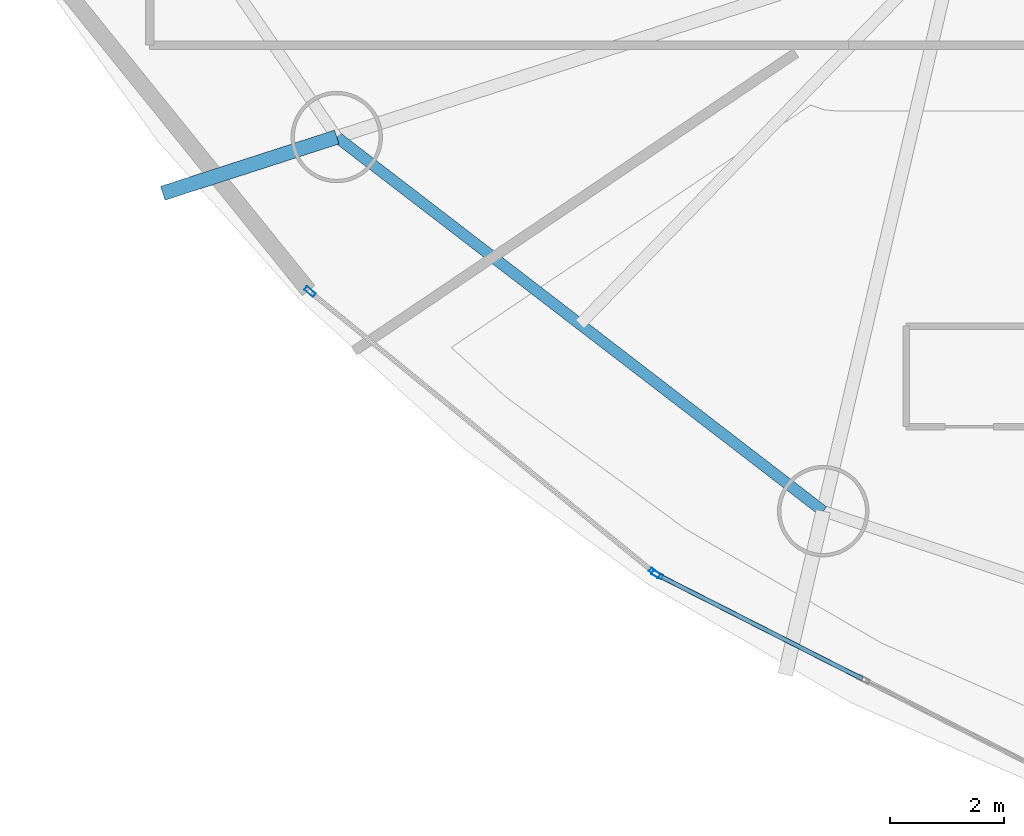
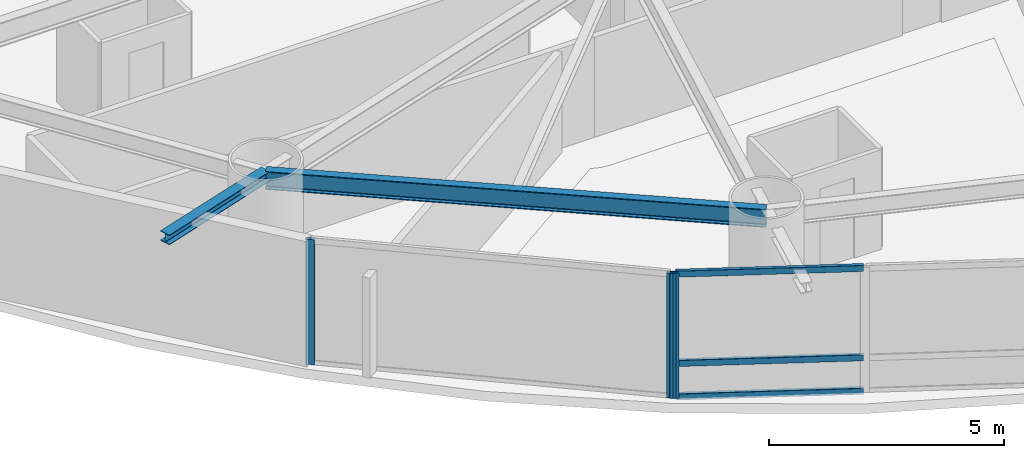
# One storey, part 2 of 20: 6 members, 2 beams, 2 elements without a shape of their own.
"""IFC4 building model written with IfcOpenShell, lengths in metres."""

import ifcopenshell
import ifcopenshell.guid

model = None  # the IFC model being written
_history = None  # IfcOwnerHistory: only IFC2X3 demands one
_inside = {}  # id of a spatial element -> (the spatial element, [elements in it])
_under = {}  # id of a project, library or spatial element -> (it, [spatial elements below it])
_declared = {}  # id of a project -> (the project, [libraries it declares])
_typed = {}  # id of a type object -> (the type object, [elements of that type])
_made_of = {}  # id of a material, layer set ... -> (it, [elements and type objects made of it])


def new_model(schema):
    """Start an empty IFC model of exactly this schema.

    Asked for "IFC4X3", IfcOpenShell would pick the latest addendum, in which some entities
    have other attributes; the version numbers below select the first issue.
    IFC2X3 requires an IfcOwnerHistory on every rooted entity: one is made here for all.
    """
    global model, _history
    if schema == "IFC4X3":
        model = ifcopenshell.file(schema_version=(4, 3, 0, 0))
    else:
        model = ifcopenshell.file(schema=schema)
    _inside.clear()
    _under.clear()
    _declared.clear()
    _typed.clear()
    _made_of.clear()
    _history = None
    if model.schema == "IFC2X3":
        org = make("IfcOrganization", Name="unknown")
        user = make(
            "IfcPersonAndOrganization",
            ThePerson=make("IfcPerson", FamilyName="unknown"),
            TheOrganization=org,
        )
        app = make(
            "IfcApplication",
            ApplicationDeveloper=org,
            Version="unknown",
            ApplicationFullName="unknown",
            ApplicationIdentifier="unknown",
        )
        _history = make(
            "IfcOwnerHistory",
            OwningUser=user,
            OwningApplication=app,
            ChangeAction="ADDED",
            CreationDate=0,
        )
    return model


def make(cls, **values):
    """One entity of the class cls with the attributes given. An attribute that is None is left unset."""
    return model.create_entity(
        cls, **{name: value for name, value in values.items() if value is not None}
    )


def rooted(cls, **values):
    """An entity with a GlobalId (a new one), such as an element, a storey or a relation."""
    return make(cls, GlobalId=ifcopenshell.guid.new(), OwnerHistory=_history, **values)


def si_unit(unit_type, name, prefix=None):
    """IfcSIUnit, for example si_unit("LENGTHUNIT", "METRE", prefix="MILLI")."""
    return make("IfcSIUnit", UnitType=unit_type, Prefix=prefix, Name=name)


def assignment(units):
    """IfcUnitAssignment: the units of a project."""
    return None if units is None else make("IfcUnitAssignment", Units=units)


def point(xyz):
    """IfcCartesianPoint."""
    return None if xyz is None else make("IfcCartesianPoint", Coordinates=xyz)


def direction(xyz):
    """IfcDirection."""
    return None if xyz is None else make("IfcDirection", DirectionRatios=xyz)


def frame(location, z_axis=None, x_axis=None):
    """IfcAxis2Placement3D, a coordinate frame: its origin and axes. An axis left out is left unset."""
    return make(
        "IfcAxis2Placement3D",
        Location=point(location),
        Axis=direction(z_axis),
        RefDirection=direction(x_axis),
    )


def frame_2d(location, x_axis=None):
    """IfcAxis2Placement2D, a coordinate frame in the plane: its origin and x axis."""
    return make(
        "IfcAxis2Placement2D", Location=point(location), RefDirection=direction(x_axis)
    )


def origin():
    """The frame at (0, 0, 0) with its axes left unset."""
    return frame((0.0, 0.0, 0.0))


def origin_2d():
    """The frame at (0, 0) in the plane with its x axis left unset."""
    return frame_2d((0.0, 0.0))


def place(relative_to, where):
    """IfcLocalPlacement: puts the frame where relative to a parent placement (None: the world)."""
    return make(
        "IfcLocalPlacement", PlacementRelTo=relative_to, RelativePlacement=where
    )


def context(
    kind, dimensions, precision=None, world=None, true_north=None, identifier=None
):
    """IfcGeometricRepresentationContext, for example the 3D "Model" context."""
    return make(
        "IfcGeometricRepresentationContext",
        ContextIdentifier=identifier,
        ContextType=kind,
        CoordinateSpaceDimension=dimensions,
        Precision=precision,
        WorldCoordinateSystem=world,
        TrueNorth=true_north,
    )


def subcontext(parent, identifier, kind, view, scale=None):
    """IfcGeometricRepresentationSubContext, for example "Body" below "Model"."""
    return make(
        "IfcGeometricRepresentationSubContext",
        ContextIdentifier=identifier,
        ContextType=kind,
        ParentContext=parent,
        TargetScale=scale,
        TargetView=view,
    )


def project(units=None, contexts=None):
    """IfcProject with its units and contexts."""
    return rooted(
        "IfcProject",
        Name="project",
        RepresentationContexts=contexts,
        UnitsInContext=assignment(units),
    )


def spatial(cls, under=None, at=None, **own):
    """A site, building, storey or space (cls), placed at a placement, below another one or the project."""
    s = rooted(cls, ObjectPlacement=at, **own)
    if under is not None:
        _under.setdefault(under.id(), (under, []))[1].append(s)
    return s


def profile(cls, at=None, kind="AREA", **sizes):
    """A parametric profile (cls). Its sizes go by their IFC names, for example OverallWidth=200.0."""
    return make(cls, ProfileType=kind, Position=at, **sizes)


def hollow_rectangle(**sizes):
    """IfcRectangleHollowProfileDef."""
    return profile("IfcRectangleHollowProfileDef", **sizes)


def i_section(**sizes):
    """IfcIShapeProfileDef."""
    return profile("IfcIShapeProfileDef", **sizes)


def extrude(swept, where, along, depth):
    """IfcExtrudedAreaSolid: the profile swept, set in the frame where, extruded along a direction by depth."""
    return make(
        "IfcExtrudedAreaSolid",
        SweptArea=swept,
        Position=where,
        ExtrudedDirection=direction(along),
        Depth=depth,
    )


def shape(context_of_items, identifier, shape_type, items):
    """IfcShapeRepresentation: the items that make up one representation, for example the "Body"."""
    return make(
        "IfcShapeRepresentation",
        ContextOfItems=context_of_items,
        RepresentationIdentifier=identifier,
        RepresentationType=shape_type,
        Items=items,
    )


def material(Name=None, Category=None):
    """IfcMaterial."""
    return make("IfcMaterial", Name=Name, Category=Category)


def layer(
    of_material, thickness, ventilated=None, Name=None, Category=None, Priority=None
):
    """IfcMaterialLayer: one layer of a wall or slab, of a material (None: an air gap)."""
    return make(
        "IfcMaterialLayer",
        Material=of_material,
        LayerThickness=thickness,
        IsVentilated=ventilated,
        Name=Name,
        Category=Category,
        Priority=Priority,
    )


def layer_set(layers, Name=None):
    """IfcMaterialLayerSet."""
    return make("IfcMaterialLayerSet", MaterialLayers=layers, LayerSetName=Name)


def material_profile(
    of_material, cross_section, Name=None, Category=None, Priority=None
):
    """IfcMaterialProfile: a cross section and its material."""
    return make(
        "IfcMaterialProfile",
        Name=Name,
        Material=of_material,
        Profile=cross_section,
        Priority=Priority,
        Category=Category,
    )


def profile_set(profiles, Name=None, composite=None):
    """IfcMaterialProfileSet."""
    return make(
        "IfcMaterialProfileSet",
        Name=Name,
        MaterialProfiles=profiles,
        CompositeProfile=composite,
    )


def made_of(thing, what):
    """Note that an element or type object is made of a material, layer set ...; save() writes the relation."""
    if what is not None:
        _made_of.setdefault(what.id(), (what, []))[1].append(thing)
    return thing


def type_object(cls, material=None, **own):
    """A type object (cls), such as IfcWallType, which elements share."""
    return made_of(rooted(cls, **own), material)


def element(
    cls,
    number,
    at=None,
    inside=None,
    cuts=None,
    type_object=None,
    material=None,
    context=None,
    identifier="Body",
    shape_type=None,
    held_by="IfcProductDefinitionShape",
    body=None,
    shapes=None,
    **own,
):
    """One element of the class cls, such as IfcWall. Its Tag is "e" and its number.

    at: its placement. inside: the storey or other place that contains it. cuts: it is an
    opening in that element (IfcRelVoidsElement). A single representation is given by context,
    identifier, shape_type and body (its items); several are given by shapes. held_by: the class
    of the entity that holds the representations. save() writes the other relations.
    """
    e = rooted(cls, Tag="e%d" % number, ObjectPlacement=at, **own)
    if body is not None:
        shapes = [shape(context, identifier, shape_type, body)]
    if shapes is not None:
        e.Representation = make(held_by, Representations=shapes)
    if inside is not None:
        _inside.setdefault(inside.id(), (inside, []))[1].append(e)
    if cuts is not None:
        rooted(
            "IfcRelVoidsElement", RelatingBuildingElement=cuts, RelatedOpeningElement=e
        )
    if type_object is not None:
        _typed.setdefault(type_object.id(), (type_object, []))[1].append(e)
    return made_of(e, material)


def aggregate(whole, parts):
    """IfcRelAggregates: a whole, such as a stair, and the parts it consists of."""
    return rooted("IfcRelAggregates", RelatingObject=whole, RelatedObjects=parts)


def save(model, path):
    """Write the relations noted so far, then the file.

    IfcRelAggregates (storeys below a building ...), IfcRelContainedInSpatialStructure (elements
    in a storey), IfcRelDefinesByType, IfcRelAssociatesMaterial and IfcRelDeclares: one each for
    every whole, place, type object, material and project.
    """
    for whole, parts in _under.values():
        aggregate(whole, parts)
    for where, things in _inside.values():
        rooted(
            "IfcRelContainedInSpatialStructure",
            RelatedElements=things,
            RelatingStructure=where,
        )
    for kind, things in _typed.values():
        rooted("IfcRelDefinesByType", RelatedObjects=things, RelatingType=kind)
    for what, things in _made_of.values():
        rooted("IfcRelAssociatesMaterial", RelatedObjects=things, RelatingMaterial=what)
    for by, libraries in _declared.values():
        rooted("IfcRelDeclares", RelatingContext=by, RelatedDefinitions=libraries)
    model.write(path)


model = new_model("IFC4")

# Units and contexts
model_context = context("Model", 3, precision=1e-05, world=origin(), true_north=direction((0.0, 1.0)))
body_context = subcontext(model_context, "Body", "Model", "MODEL_VIEW")
ifc_project = project(units=[si_unit("LENGTHUNIT", "METRE"), si_unit("AREAUNIT", "SQUARE_METRE"), si_unit("VOLUMEUNIT", "CUBIC_METRE"), si_unit("PLANEANGLEUNIT", "RADIAN"), si_unit("MASSUNIT", "GRAM", prefix="KILO")], contexts=[model_context])

# Site, building, storey
site_placement = place(None, origin())
site = spatial("IfcSite", under=ifc_project, at=site_placement, CompositionType="ELEMENT")
building_placement = place(site_placement, origin())
building = spatial("IfcBuilding", under=site, at=building_placement, Name="Bramvorn Convention Spire", CompositionType="ELEMENT")
storey_placement = place(building_placement, frame((0.0, 0.0, 58.89990234375)))
storey = spatial("IfcBuildingStorey", under=building, at=storey_placement, Name="L12", CompositionType="ELEMENT", Elevation=58.89990234375)

# Beams
ifc_material_1 = material(Name="Steel CSA G40.21 Grade 350 (350W)", Category="steel")
ifc_material_profile_1 = material_profile(ifc_material_1, i_section(OverallWidth=0.25390625, OverallDepth=0.2529296875, WebThickness=0.008544921875, FlangeThickness=0.01416015625, FilletRadius=0.011962890625, at=origin_2d()))
ifc_profile_set_1 = profile_set([ifc_material_profile_1], Name="Steel CSA G40.21 Grade 350 (350W) - W250X73")
beam_type_1 = type_object("IfcBeamType", Name="BM-W250X73", PredefinedType="BEAM", material=ifc_profile_set_1)
beam_1_placement = place(storey_placement, frame((15.894775390625, 15.039794921875, 3.12353515625), z_axis=(-0.951483286173, -0.307700432454, 0.0), x_axis=(0.307700432454, -0.951483286173, 0.0)))
element("IfcBeam", 1, at=beam_1_placement, inside=storey, type_object=beam_type_1, Name="L12 slab-edge cantilever tip beam MC11", PredefinedType="BEAM", context=body_context, shape_type="SweptSolid", body=[
    extrude(i_section(OverallWidth=0.25390625, OverallDepth=0.2529296875, WebThickness=0.008544921875, FlangeThickness=0.01416015625, FilletRadius=0.011962890625, at=origin_2d()), origin(), (0.0, 0.0, 1.0), 3.199951171875),
])
ifc_material_profile_2 = material_profile(ifc_material_1, i_section(OverallWidth=0.194091796875, OverallDepth=0.468994140625, WebThickness=0.0126953125, FlangeThickness=0.0205078125, FilletRadius=0.01806640625, at=origin_2d()))
ifc_profile_set_2 = profile_set([ifc_material_profile_2], Name="Steel CSA G40.21 Grade 350 (350W) - W460X106")
beam_type_2 = type_object("IfcBeamType", Name="BM-W460X106", PredefinedType="SPANDREL", material=ifc_profile_set_2)
beam_2_placement = place(storey_placement, frame((15.894775390625, 15.039794921875, 3.015625), z_axis=(0.792672990445, -0.609647053809, 0.0), x_axis=(0.609647053809, 0.792672990445, 0.0)))
element("IfcBeam", 2, at=beam_2_placement, inside=storey, type_object=beam_type_2, Name="L12 mega-column ring beam 11", PredefinedType="SPANDREL", context=body_context, shape_type="SweptSolid", body=[
    extrude(i_section(OverallWidth=0.194091796875, OverallDepth=0.468994140625, WebThickness=0.0126953125, FlangeThickness=0.0205078125, FilletRadius=0.01806640625, at=origin_2d()), origin(), (0.0, 0.0, 1.0), 10.741943359375),
])

# Curtain wall, members
ifc_material_2 = material(Name="Anodised Bronze Unitised Curtain Wall", Category="aluminium")
ifc_layer = layer(ifc_material_2, 0.179931640625)
ifc_layer_set = layer_set([ifc_layer], Name="Anodised Bronze Unitised Curtain Wall - CW-HTL-FRIT")
curtain_wall_type = type_object("IfcCurtainWallType", Name="CW-HTL-FRIT", PredefinedType="USERDEFINED", material=ifc_layer_set)
curtain_wall_1_placement = place(storey_placement, origin())
curtain_wall_1 = element("IfcCurtainWall", 3, at=curtain_wall_1_placement, inside=storey, type_object=curtain_wall_type, Name="L12 fritted glass curtain wall 16", ObjectType="UNITISED CURTAIN WALL", PredefinedType="USERDEFINED")
ifc_material_3 = material(Name="Anodised Bronze Aluminium 6063-T6", Category="aluminium")
ifc_material_profile_3 = material_profile(ifc_material_3, hollow_rectangle(XDim=0.080078125, YDim=0.199951171875, WallThickness=0.00390625, InnerFilletRadius=0.0009765625, OuterFilletRadius=0.00390625, at=origin_2d()))
ifc_profile_set_3 = profile_set([ifc_material_profile_3], Name="Anodised Bronze Aluminium 6063-T6 - CWM80X200")
member_type_1 = type_object("IfcMemberType", Name="CW-MUL-180", PredefinedType="MULLION", material=ifc_profile_set_3)
member_1_placement = place(storey_placement, frame((21.45703125, 7.410888671875, 0.0), z_axis=(0.0, 0.0, 1.0), x_axis=(-0.63226548772, -0.774751800926, 0.0)))
member_1 = element("IfcMember", 4, at=member_1_placement, type_object=member_type_1, Name="CW2 mullion 1", PredefinedType="MULLION", context=body_context, shape_type="SweptSolid", body=[
    extrude(hollow_rectangle(XDim=0.080078125, YDim=0.199951171875, WallThickness=0.00390625, InnerFilletRadius=0.0009765625, OuterFilletRadius=0.00390625, at=origin_2d()), origin(), (0.0, 0.0, 1.0), 3.25),
])
member_2_placement = place(storey_placement, frame((15.425537109375, 12.3330078125, 0.0), z_axis=(0.0, 0.0, 1.0), x_axis=(-0.63226548772, -0.774751800926, 0.0)))
member_2 = element("IfcMember", 5, at=member_2_placement, type_object=member_type_1, Name="CW2 mullion 2", PredefinedType="MULLION", context=body_context, shape_type="SweptSolid", body=[
    extrude(hollow_rectangle(XDim=0.080078125, YDim=0.199951171875, WallThickness=0.00390625, InnerFilletRadius=0.0009765625, OuterFilletRadius=0.00390625, at=origin_2d()), origin(), (0.0, 0.0, 1.0), 3.25),
])
aggregate(curtain_wall_1, [member_1, member_2])

curtain_wall_2_placement = place(storey_placement, origin())
curtain_wall_2 = element("IfcCurtainWall", 6, at=curtain_wall_2_placement, inside=storey, type_object=curtain_wall_type, Name="L12 fritted glass curtain wall 17", ObjectType="UNITISED CURTAIN WALL", PredefinedType="USERDEFINED")
member_3_placement = place(storey_placement, frame((21.5068359375, 7.378173828125, 0.0), z_axis=(0.0, 0.0, 1.0), x_axis=(-0.452834571588, -0.891594555151, 0.0)))
member_3 = element("IfcMember", 7, at=member_3_placement, type_object=member_type_1, Name="CW2 mullion 3", PredefinedType="MULLION", context=body_context, shape_type="SweptSolid", body=[
    extrude(hollow_rectangle(XDim=0.080078125, YDim=0.199951171875, WallThickness=0.00390625, InnerFilletRadius=0.0009765625, OuterFilletRadius=0.00390625, at=origin_2d()), origin(), (0.0, 0.0, 1.0), 3.25),
])
ifc_material_profile_4 = material_profile(ifc_material_3, hollow_rectangle(XDim=0.080078125, YDim=0.159912109375, WallThickness=0.00390625, InnerFilletRadius=0.0009765625, OuterFilletRadius=0.00390625, at=origin_2d()))
ifc_profile_set_4 = profile_set([ifc_material_profile_4], Name="Anodised Bronze Aluminium 6063-T6 - CWT80X160")
member_type_2 = type_object("IfcMemberType", Name="CW-TRN-150", PredefinedType="USERDEFINED", material=ifc_profile_set_4)
member_4_placement = place(storey_placement, frame((25.095947265625, 5.555419921875, 0.030029296875), z_axis=(-0.891586308784, 0.452850807649, 0.0), x_axis=(-0.452850807649, -0.891586308784, 0.0)))
member_4 = element("IfcMember", 8, at=member_4_placement, type_object=member_type_2, Name="CW2 transom 2.1", ObjectType="TRANSOM", PredefinedType="USERDEFINED", context=body_context, shape_type="SweptSolid", body=[
    extrude(hollow_rectangle(XDim=0.080078125, YDim=0.159912109375, WallThickness=0.00390625, InnerFilletRadius=0.0009765625, OuterFilletRadius=0.00390625, at=origin_2d()), origin(), (0.0, 0.0, 1.0), 3.995361328125),
])
member_5_placement = place(storey_placement, frame((25.095947265625, 5.555419921875, 0.900146484375), z_axis=(-0.891586308784, 0.452850807649, 0.0), x_axis=(-0.452850807649, -0.891586308784, 0.0)))
member_5 = element("IfcMember", 9, at=member_5_placement, type_object=member_type_2, Name="CW2 transom 2.2", ObjectType="TRANSOM", PredefinedType="USERDEFINED", context=body_context, shape_type="SweptSolid", body=[
    extrude(hollow_rectangle(XDim=0.080078125, YDim=0.159912109375, WallThickness=0.00390625, InnerFilletRadius=0.0009765625, OuterFilletRadius=0.00390625, at=origin_2d()), origin(), (0.0, 0.0, 1.0), 3.995361328125),
])
member_6_placement = place(storey_placement, frame((25.095947265625, 5.555419921875, 3.22021484375), z_axis=(-0.891586308784, 0.452850807649, 0.0), x_axis=(-0.452850807649, -0.891586308784, 0.0)))
member_6 = element("IfcMember", 10, at=member_6_placement, type_object=member_type_2, Name="CW2 transom 2.3", ObjectType="TRANSOM", PredefinedType="USERDEFINED", context=body_context, shape_type="SweptSolid", body=[
    extrude(hollow_rectangle(XDim=0.080078125, YDim=0.159912109375, WallThickness=0.00390625, InnerFilletRadius=0.0009765625, OuterFilletRadius=0.00390625, at=origin_2d()), origin(), (0.0, 0.0, 1.0), 3.995361328125),
])
aggregate(curtain_wall_2, [member_3, member_4, member_5, member_6])

save(model, "model.ifc")
